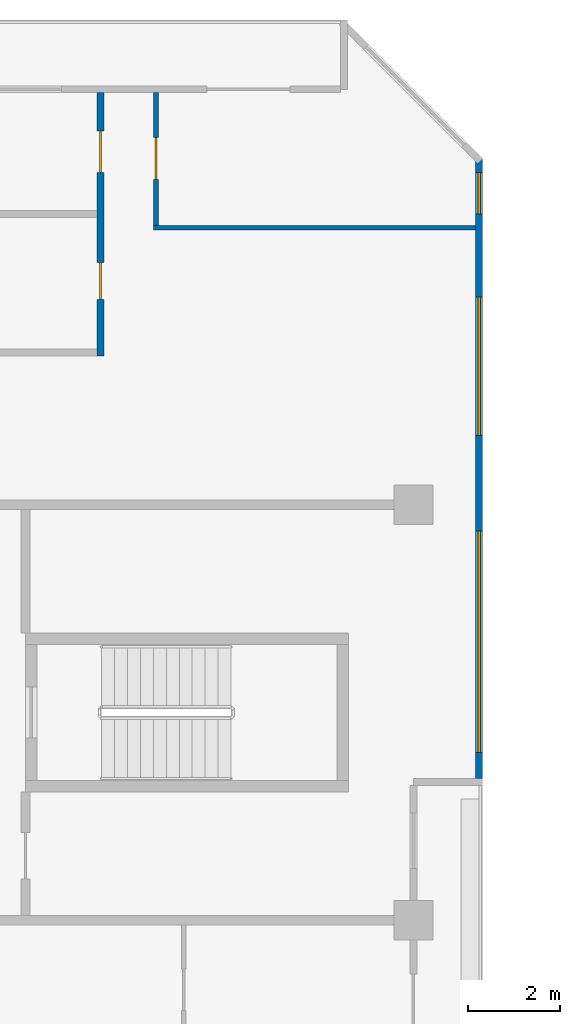
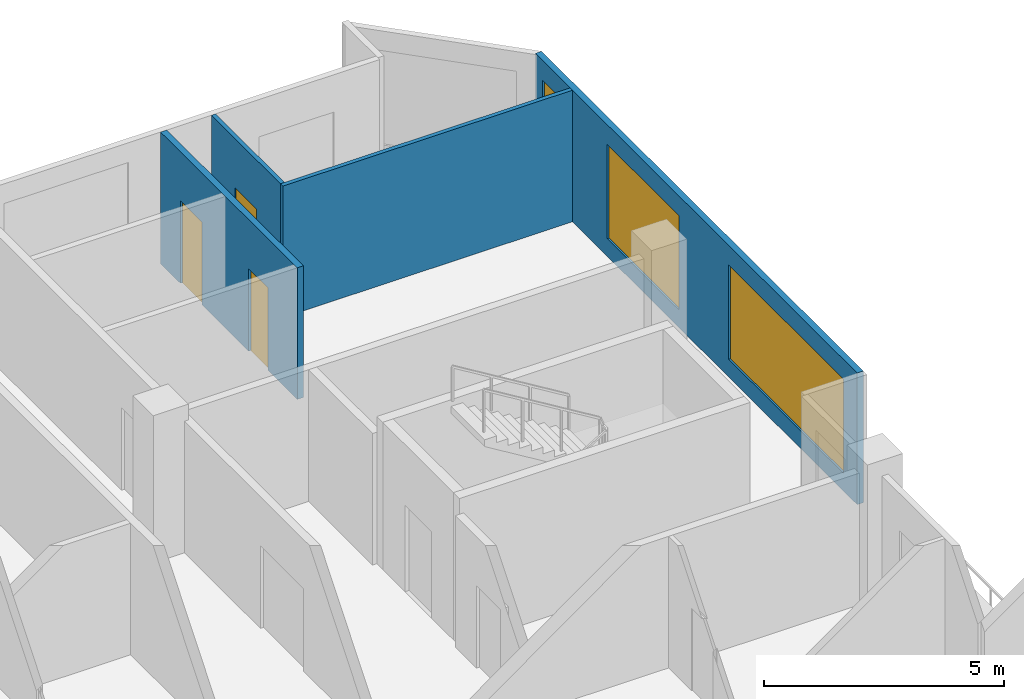
# One storey, part 11 of 15: 4 walls, 3 doors, 3 windows, 6 openings.
"""IFC4 building model written with IfcOpenShell, lengths in metres."""

from ifc_helpers import new_model, si_unit, direction, frame, frame_2d, origin, place, context, subcontext, project, spatial, rectangle, extrude, material, layer, layer_set, type_object, element, fill, save


model = new_model("IFC4")

# Units and contexts
model_context = context("Model", 3, precision=1e-05, world=origin(), true_north=direction((0.0, 1.0)))
body_context = subcontext(model_context, "Body", "Model", "MODEL_VIEW")
ifc_project = project(units=[si_unit("LENGTHUNIT", "METRE"), si_unit("AREAUNIT", "SQUARE_METRE"), si_unit("VOLUMEUNIT", "CUBIC_METRE"), si_unit("PLANEANGLEUNIT", "RADIAN"), si_unit("MASSUNIT", "GRAM", prefix="KILO")], contexts=[model_context])

# Site, building, storey
site_placement = place(None, origin())
site = spatial("IfcSite", under=ifc_project, at=site_placement, CompositionType="ELEMENT")
building_placement = place(site_placement, origin())
building = spatial("IfcBuilding", under=site, at=building_placement, Name="Chenar Terraces", CompositionType="ELEMENT")
storey_placement = place(building_placement, frame((0.0, 0.0, 215.39990234375)))
storey = spatial("IfcBuildingStorey", under=building, at=storey_placement, Name="L50", CompositionType="ELEMENT", Elevation=215.39990234375)

# Wall, openings, windows
ifc_material_1 = material(Name="Aluminium framed glazing", Category="aluminium")
ifc_layer_1 = layer(ifc_material_1, 0.14990234375)
ifc_layer_set_1 = layer_set([ifc_layer_1], Name="Aluminium framed glazing")
wall_type_1 = type_object("IfcWallType", Name="Glazed flush facade wall 150", PredefinedType="SOLIDWALL", material=ifc_layer_set_1)
wall_1_placement = place(storey_placement, frame((25.425048828125, 48.074951171875, 0.0), z_axis=(0.0, 0.0, 1.0), x_axis=(0.0, 1.0, 0.0)))
wall_1 = element("IfcWall", 1, at=wall_1_placement, inside=storey, type_object=wall_type_1, Name="Glazed flush facade wall", PredefinedType="SOLIDWALL", context=body_context, shape_type="SweptSolid", body=[
    extrude(rectangle(XDim=13.425048828125, YDim=0.14990234375, at=frame_2d((6.71240234375, 0.0))), origin(), (0.0, 0.0, 1.0), 3.35009765625),
])
opening_1_placement = place(wall_1_placement, frame((0.5625, 0.0, 0.449951171875)))
opening_1 = element("IfcOpeningElement", 2, at=opening_1_placement, cuts=wall_1, Name="Opening W480x240", PredefinedType="OPENING", context=body_context, shape_type="SweptSolid", body=[
    extrude(rectangle(XDim=4.800048828125, YDim=2.39990234375, at=frame_2d((2.39990234375, 1.199951171875))), frame((0.0, 0.0849609375, 0.0), z_axis=(0.0, -1.0, 0.0), x_axis=(1.0, 0.0, 0.0)), (0.0, 0.0, 1.0), 0.169921875),
])
opening_2_placement = place(wall_1_placement, frame((7.425048828125, 0.0, 0.449951171875)))
opening_2 = element("IfcOpeningElement", 3, at=opening_2_placement, cuts=wall_1, Name="Opening W300x240", PredefinedType="OPENING", context=body_context, shape_type="SweptSolid", body=[
    extrude(rectangle(XDim=3.0, YDim=2.39990234375, at=frame_2d((1.5, 1.199951171875))), frame((0.0, 0.0849609375, 0.0), z_axis=(0.0, -1.0, 0.0), x_axis=(1.0, 0.0, 0.0)), (0.0, 0.0, 1.0), 0.169921875),
])
opening_3_placement = place(wall_1_placement, frame((12.22509765625, 0.0, 0.449951171875)))
opening_3 = element("IfcOpeningElement", 4, at=opening_3_placement, cuts=wall_1, Name="Opening W90x240", PredefinedType="OPENING", context=body_context, shape_type="SweptSolid", body=[
    extrude(rectangle(XDim=0.89990234375, YDim=2.39990234375, at=frame_2d((0.449951171875, 1.199951171875))), frame((0.0, 0.0849609375, 0.0), z_axis=(0.0, -1.0, 0.0), x_axis=(1.0, 0.0, 0.0)), (0.0, 0.0, 1.0), 0.169921875),
])
ifc_material_2 = material(Name="Low emissivity double glazing, aluminium frame", Category="aluminium")
window_type_1 = type_object("IfcWindowType", Name="Fixed light 3000 x 2400", PartitioningType="SINGLE_PANEL", PredefinedType="WINDOW", material=ifc_material_2)
window_1_placement = place(opening_2_placement, origin())
window_1 = element("IfcWindow", 5, at=window_1_placement, inside=storey, type_object=window_type_1, Name="Window", OverallHeight=2.39990234375, OverallWidth=3.0, PartitioningType="SINGLE_PANEL", PredefinedType="WINDOW", context=body_context, shape_type="SweptSolid", body=[
    extrude(rectangle(XDim=3.0, YDim=2.39990234375, at=frame_2d((1.5, 1.199951171875))), frame((0.0, 0.030029296875, 0.0), z_axis=(0.0, -1.0, 0.0), x_axis=(1.0, 0.0, 0.0)), (0.0, 0.0, 1.0), 0.06005859375),
])
fill(opening_2, window_1)
ifc_material_3 = material(Name="Low emissivity double glazing, aluminium frame", Category="aluminium")
window_type_2 = type_object("IfcWindowType", Name="Fixed light 4800 x 2400", PartitioningType="SINGLE_PANEL", PredefinedType="WINDOW", material=ifc_material_3)
window_2_placement = place(opening_1_placement, origin())
window_2 = element("IfcWindow", 6, at=window_2_placement, inside=storey, type_object=window_type_2, Name="Window", OverallHeight=2.39990234375, OverallWidth=4.800048828125, PartitioningType="SINGLE_PANEL", PredefinedType="WINDOW", context=body_context, shape_type="SweptSolid", body=[
    extrude(rectangle(XDim=4.800048828125, YDim=2.39990234375, at=frame_2d((2.39990234375, 1.199951171875))), frame((0.0, 0.030029296875, 0.0), z_axis=(0.0, -1.0, 0.0), x_axis=(1.0, 0.0, 0.0)), (0.0, 0.0, 1.0), 0.06005859375),
])
fill(opening_1, window_2)
ifc_material_4 = material(Name="Low emissivity double glazing, aluminium frame", Category="aluminium")
window_type_3 = type_object("IfcWindowType", Name="Fixed light 900 x 2400", PartitioningType="SINGLE_PANEL", PredefinedType="WINDOW", material=ifc_material_4)
window_3_placement = place(opening_3_placement, origin())
window_3 = element("IfcWindow", 7, at=window_3_placement, inside=storey, type_object=window_type_3, Name="Window", OverallHeight=2.39990234375, OverallWidth=0.89990234375, PartitioningType="SINGLE_PANEL", PredefinedType="WINDOW", context=body_context, shape_type="SweptSolid", body=[
    extrude(rectangle(XDim=0.89990234375, YDim=2.39990234375, at=frame_2d((0.449951171875, 1.199951171875))), frame((0.0, 0.030029296875, 0.0), z_axis=(0.0, -1.0, 0.0), x_axis=(1.0, 0.0, 0.0)), (0.0, 0.0, 1.0), 0.06005859375),
])
fill(opening_3, window_3)

# Wall
ifc_material_5 = material(Name="Gypsum board on steel studs", Category="steel")
ifc_layer_2 = layer(ifc_material_5, 0.10009765625)
ifc_layer_set_2 = layer_set([ifc_layer_2], Name="Gypsum board on steel studs")
wall_type_2 = type_object("IfcWallType", Name="Gypsum partition 100", PredefinedType="PARTITIONING", material=ifc_layer_set_2)
wall_2_placement = place(storey_placement, frame((18.375, 60.0, 0.0), z_axis=(0.0, 0.0, 1.0), x_axis=(1.0, 0.0, 0.0)))
element("IfcWall", 8, at=wall_2_placement, inside=storey, type_object=wall_type_2, Name="Partition L50-048", PredefinedType="PARTITIONING", context=body_context, shape_type="SweptSolid", body=[
    extrude(rectangle(XDim=6.97509765625, YDim=0.10009765625, at=frame_2d((3.487548828125, 0.0))), origin(), (0.0, 0.0, 1.0), 3.35009765625),
])

# Wall, opening, door
wall_3_placement = place(storey_placement, frame((18.425048828125, 60.050048828125, 0.0), z_axis=(0.0, 0.0, 1.0), x_axis=(0.0, 1.0, 0.0)))
wall_3 = element("IfcWall", 9, at=wall_3_placement, inside=storey, type_object=wall_type_2, Name="Partition L50-049", PredefinedType="PARTITIONING", context=body_context, shape_type="SweptSolid", body=[
    extrude(rectangle(XDim=2.8759765625, YDim=0.10009765625, at=frame_2d((1.43798828125, 0.0))), origin(), (0.0, 0.0, 1.0), 3.35009765625),
])
opening_4_placement = place(wall_3_placement, frame((1.0, 0.0, 0.0)))
opening_4 = element("IfcOpeningElement", 10, at=opening_4_placement, cuts=wall_3, Name="Opening DL50-20", PredefinedType="OPENING", context=body_context, shape_type="SweptSolid", body=[
    extrude(rectangle(XDim=0.89990234375, YDim=2.10009765625, at=frame_2d((0.449951171875, 1.050048828125))), frame((0.0, 0.06005859375, 0.0), z_axis=(0.0, -1.0, 0.0), x_axis=(1.0, 0.0, 0.0)), (0.0, 0.0, 1.0), 0.1201171875),
])
ifc_material_6 = material(Name="Veneered timber door leaf", Category="wood")
door_type_1 = type_object("IfcDoorType", Name="Door 900 x 2100", OperationType="SINGLE_SWING_LEFT", PredefinedType="DOOR", material=ifc_material_6)
door_1_placement = place(opening_4_placement, frame((0.89990234375, 0.0, 0.0), z_axis=(0.0, 0.0, 1.0), x_axis=(-1.0, 0.0, 0.0)))
door_1 = element("IfcDoor", 11, at=door_1_placement, inside=storey, type_object=door_type_1, Name="Door DL50-20", OperationType="SINGLE_SWING_LEFT", OverallHeight=2.10009765625, OverallWidth=0.89990234375, PredefinedType="DOOR", context=body_context, shape_type="SweptSolid", body=[
    extrude(rectangle(XDim=0.89990234375, YDim=2.10009765625, at=frame_2d((0.449951171875, 1.050048828125))), frame((0.0, 0.02490234375, 0.0), z_axis=(0.0, -1.0, 0.0), x_axis=(1.0, 0.0, 0.0)), (0.0, 0.0, 1.0), 0.050048828125),
])
fill(opening_4, door_1)

# Wall, openings, doors
ifc_material_7 = material(Name="Moisture-resistant gypsum board on steel studs", Category="steel")
ifc_layer_3 = layer(ifc_material_7, 0.14990234375)
ifc_layer_set_3 = layer_set([ifc_layer_3], Name="Moisture-resistant gypsum board on steel studs")
wall_type_3 = type_object("IfcWallType", Name="Wet-room partition 150", PredefinedType="PARTITIONING", material=ifc_layer_set_3)
wall_4_placement = place(storey_placement, frame((17.22509765625, 57.22509765625, 0.0), z_axis=(0.0, 0.0, 1.0), x_axis=(0.0, 1.0, 0.0)))
wall_4 = element("IfcWall", 12, at=wall_4_placement, inside=storey, type_object=wall_type_3, Name="Partition L50-046", PredefinedType="PARTITIONING", context=body_context, shape_type="SweptSolid", body=[
    extrude(rectangle(XDim=5.700927734375, YDim=0.14990234375, at=frame_2d((2.8505859375, 0.0))), origin(), (0.0, 0.0, 1.0), 3.35009765625),
])
opening_5_placement = place(wall_4_placement, frame((1.22509765625, 0.0, 0.0)))
opening_5 = element("IfcOpeningElement", 13, at=opening_5_placement, cuts=wall_4, Name="Opening DL50-19", PredefinedType="OPENING", context=body_context, shape_type="SweptSolid", body=[
    extrude(rectangle(XDim=0.800048828125, YDim=2.10009765625, at=frame_2d((0.39990234375, 1.050048828125))), frame((0.0, 0.0849609375, 0.0), z_axis=(0.0, -1.0, 0.0), x_axis=(1.0, 0.0, 0.0)), (0.0, 0.0, 1.0), 0.169921875),
])
opening_6_placement = place(wall_4_placement, frame((3.97509765625, 0.0, 0.0)))
opening_6 = element("IfcOpeningElement", 14, at=opening_6_placement, cuts=wall_4, Name="Opening DL50-21", PredefinedType="OPENING", context=body_context, shape_type="SweptSolid", body=[
    extrude(rectangle(XDim=0.89990234375, YDim=2.10009765625, at=frame_2d((0.449951171875, 1.050048828125))), frame((0.0, 0.0849609375, 0.0), z_axis=(0.0, -1.0, 0.0), x_axis=(1.0, 0.0, 0.0)), (0.0, 0.0, 1.0), 0.169921875),
])
ifc_material_8 = material(Name="Veneered timber door leaf", Category="wood")
door_type_2 = type_object("IfcDoorType", Name="Door 800 x 2100", OperationType="SINGLE_SWING_LEFT", PredefinedType="DOOR", material=ifc_material_8)
door_2_placement = place(opening_5_placement, origin())
door_2 = element("IfcDoor", 15, at=door_2_placement, inside=storey, type_object=door_type_2, Name="Door DL50-19", OperationType="SINGLE_SWING_RIGHT", OverallHeight=2.10009765625, OverallWidth=0.800048828125, PredefinedType="DOOR", context=body_context, shape_type="SweptSolid", body=[
    extrude(rectangle(XDim=0.800048828125, YDim=2.10009765625, at=frame_2d((0.39990234375, 1.050048828125))), frame((0.0, 0.02490234375, 0.0), z_axis=(0.0, -1.0, 0.0), x_axis=(1.0, 0.0, 0.0)), (0.0, 0.0, 1.0), 0.050048828125),
])
fill(opening_5, door_2)
door_3_placement = place(opening_6_placement, origin())
door_3 = element("IfcDoor", 16, at=door_3_placement, inside=storey, type_object=door_type_1, Name="Door DL50-21", OperationType="SINGLE_SWING_RIGHT", OverallHeight=2.10009765625, OverallWidth=0.89990234375, PredefinedType="DOOR", context=body_context, shape_type="SweptSolid", body=[
    extrude(rectangle(XDim=0.89990234375, YDim=2.10009765625, at=frame_2d((0.449951171875, 1.050048828125))), frame((0.0, 0.02490234375, 0.0), z_axis=(0.0, -1.0, 0.0), x_axis=(1.0, 0.0, 0.0)), (0.0, 0.0, 1.0), 0.050048828125),
])
fill(opening_6, door_3)

save(model, "model.ifc")
